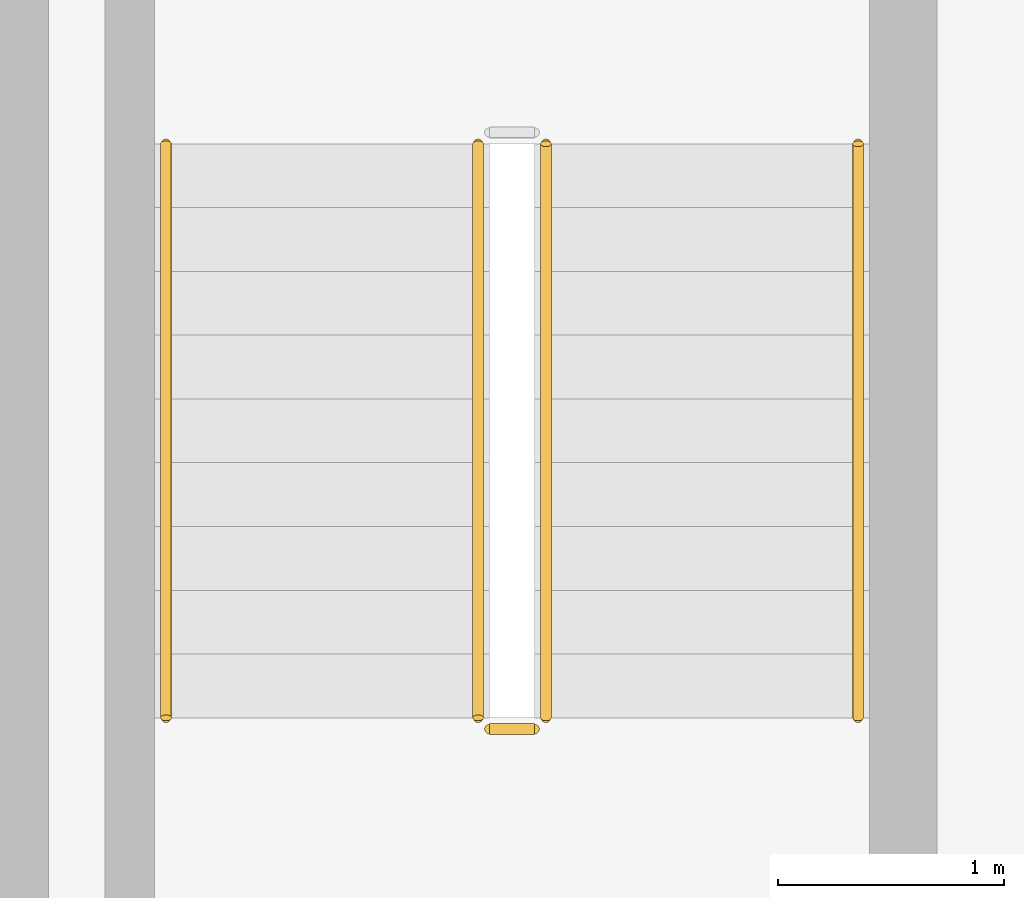
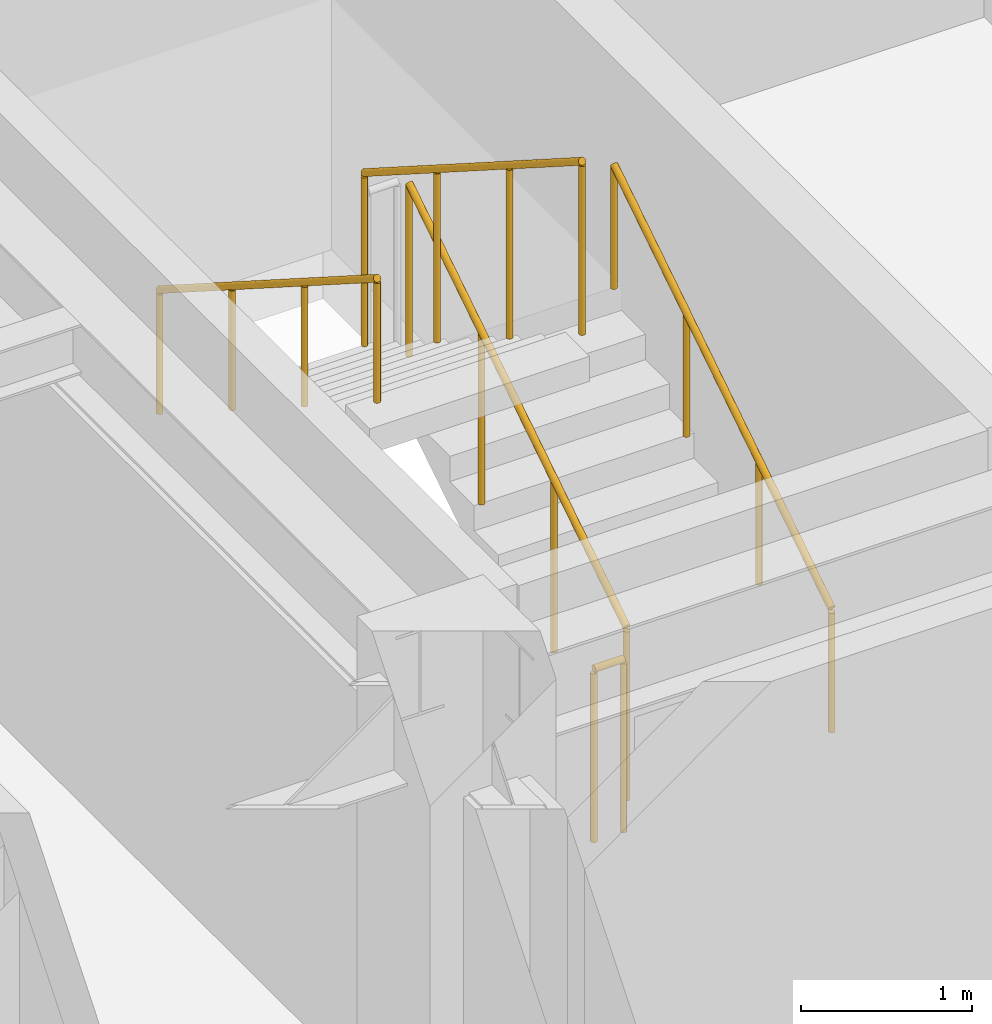
# One storey, part 17 of 19: 5 railings.
"""IFC4 building model written with IfcOpenShell, lengths in metres."""

from ifc_helpers import new_model, si_unit, direction, frame, origin, origin_2d, place, context, subcontext, project, spatial, circle, extrude, material, type_object, element, save


model = new_model("IFC4")

# Units and contexts
model_context = context("Model", 3, precision=1e-05, world=origin(), true_north=direction((0.0, 1.0)))
body_context = subcontext(model_context, "Body", "Model", "MODEL_VIEW")
ifc_project = project(units=[si_unit("LENGTHUNIT", "METRE"), si_unit("AREAUNIT", "SQUARE_METRE"), si_unit("VOLUMEUNIT", "CUBIC_METRE"), si_unit("PLANEANGLEUNIT", "RADIAN"), si_unit("MASSUNIT", "GRAM", prefix="KILO")], contexts=[model_context])

# Site, building, storey
site_placement = place(None, origin())
site = spatial("IfcSite", under=ifc_project, at=site_placement, CompositionType="ELEMENT")
building_placement = place(site_placement, origin())
building = spatial("IfcBuilding", under=site, at=building_placement, Name="Ochreholt Gables", CompositionType="ELEMENT")
storey_placement = place(building_placement, frame((0.0, 0.0, 76.800048828125)))
storey = spatial("IfcBuildingStorey", under=building, at=storey_placement, Name="L19", CompositionType="ELEMENT", Elevation=76.800048828125)

# Railings
ifc_material_1 = material(Name="Painted Steel Stair Guardrail", Category="steel")
railing_type_1 = type_object("IfcRailingType", Name="RL-ST-GUARD", PredefinedType="GUARDRAIL", material=ifc_material_1)
railing_1_placement = place(storey_placement, frame((26.64990234375, 32.4599609375, 0.179931640625)))
element("IfcRailing", 1, at=railing_1_placement, inside=storey, type_object=railing_type_1, Name="L19 ST-2 stair guard 1", PredefinedType="GUARDRAIL", context=body_context, shape_type="SweptSolid", body=[
    extrude(circle(Radius=0.02392578125, at=origin_2d()), frame((0.0, 0.0, 1.22607421875), z_axis=(0.0, 0.842912820907, 0.538050161556), x_axis=(-1.0, 0.0, 0.0)), (0.0, 0.0, 1.0), 3.010986328125),
    extrude(circle(Radius=0.02099609375, at=origin_2d()), origin(), (0.0, 0.0, 1.0), 1.201904296875),
    extrude(circle(Radius=0.02099609375, at=origin_2d()), frame((0.0, 0.845947265625, 0.5400390625)), (0.0, 0.0, 1.0), 1.201904296875),
    extrude(circle(Radius=0.02099609375, at=origin_2d()), frame((0.0, 1.692138671875, 1.080078125)), (0.0, 0.0, 1.0), 1.201904296875),
    extrude(circle(Radius=0.02099609375, at=origin_2d()), frame((0.0, 2.5380859375, 1.6201171875)), (0.0, 0.0, 1.0), 1.201904296875),
])
railing_2_placement = place(storey_placement, frame((26.35009765625, 34.998046875, 1.97998046875)))
element("IfcRailing", 2, at=railing_2_placement, inside=storey, type_object=railing_type_1, Name="L19 ST-2 stair guard 3", PredefinedType="GUARDRAIL", context=body_context, shape_type="SweptSolid", body=[
    extrude(circle(Radius=0.02392578125, at=origin_2d()), frame((0.0, 0.0, 1.22607421875), z_axis=(0.0, -0.842949592929, 0.537992549931), x_axis=(1.0, 0.0, 0.0)), (0.0, 0.0, 1.0), 3.010986328125),
    extrude(circle(Radius=0.02099609375, at=origin_2d()), origin(), (0.0, 0.0, 1.0), 1.201904296875),
    extrude(circle(Radius=0.02099609375, at=origin_2d()), frame((0.0, -0.845947265625, 0.5400390625)), (0.0, 0.0, 1.0), 1.201904296875),
    extrude(circle(Radius=0.02099609375, at=origin_2d()), frame((0.0, -1.692138671875, 1.079833984375)), (0.0, 0.0, 1.0), 1.201904296875),
    extrude(circle(Radius=0.02099609375, at=origin_2d()), frame((0.0, -2.5380859375, 1.619873046875)), (0.0, 0.0, 1.0), 1.201904296875),
])
railing_3_placement = place(storey_placement, frame((26.60009765625, 32.409912109375, 0.0)))
element("IfcRailing", 3, at=railing_3_placement, inside=storey, type_object=railing_type_1, Name="L19 ST-2 stair guard 4", PredefinedType="GUARDRAIL", context=body_context, shape_type="SweptSolid", body=[
    extrude(circle(Radius=0.02392578125, at=origin_2d()), frame((0.0, 0.0, 1.22607421875), z_axis=(-1.0, 0.0, 0.0), x_axis=(0.0, -1.0, 0.0)), (0.0, 0.0, 1.0), 0.2001953125),
    extrude(circle(Radius=0.02099609375, at=origin_2d()), origin(), (0.0, 0.0, 1.0), 1.201904296875),
    extrude(circle(Radius=0.02099609375, at=origin_2d()), frame((-0.2001953125, 0.0, 0.0)), (0.0, 0.0, 1.0), 1.201904296875),
])
ifc_material_2 = material(Name="Brushed Stainless Steel Wall Handrail", Category="steel")
railing_type_2 = type_object("IfcRailingType", Name="RL-ST-HAND", PredefinedType="HANDRAIL", material=ifc_material_2)
railing_4_placement = place(storey_placement, frame((28.030029296875, 32.4599609375, 0.179931640625)))
element("IfcRailing", 4, at=railing_4_placement, inside=storey, type_object=railing_type_2, Name="L19 ST-2 stair handrail 1", PredefinedType="HANDRAIL", context=body_context, shape_type="SweptSolid", body=[
    extrude(circle(Radius=0.02392578125, at=origin_2d()), frame((0.0, 0.0, 0.8759765625), z_axis=(0.0, 0.842912820907, 0.538050161556), x_axis=(-1.0, 0.0, 0.0)), (0.0, 0.0, 1.0), 3.010986328125),
    extrude(circle(Radius=0.02099609375, at=origin_2d()), origin(), (0.0, 0.0, 1.0), 0.851806640625),
    extrude(circle(Radius=0.02099609375, at=origin_2d()), frame((0.0, 0.845947265625, 0.5400390625)), (0.0, 0.0, 1.0), 0.851806640625),
    extrude(circle(Radius=0.02099609375, at=origin_2d()), frame((0.0, 1.692138671875, 1.080078125)), (0.0, 0.0, 1.0), 0.851806640625),
    extrude(circle(Radius=0.02099609375, at=origin_2d()), frame((0.0, 2.5380859375, 1.6201171875)), (0.0, 0.0, 1.0), 0.851806640625),
])
railing_5_placement = place(storey_placement, frame((24.969970703125, 34.998046875, 1.97998046875)))
element("IfcRailing", 5, at=railing_5_placement, inside=storey, type_object=railing_type_2, Name="L19 ST-2 stair handrail 2", PredefinedType="HANDRAIL", context=body_context, shape_type="SweptSolid", body=[
    extrude(circle(Radius=0.02392578125, at=origin_2d()), frame((0.0, 0.0, 0.8759765625), z_axis=(0.0, -0.842949592929, 0.537992549931), x_axis=(1.0, 0.0, 0.0)), (0.0, 0.0, 1.0), 3.010986328125),
    extrude(circle(Radius=0.02099609375, at=origin_2d()), origin(), (0.0, 0.0, 1.0), 0.851806640625),
    extrude(circle(Radius=0.02099609375, at=origin_2d()), frame((0.0, -0.845947265625, 0.5400390625)), (0.0, 0.0, 1.0), 0.851806640625),
    extrude(circle(Radius=0.02099609375, at=origin_2d()), frame((0.0, -1.692138671875, 1.079833984375)), (0.0, 0.0, 1.0), 0.851806640625),
    extrude(circle(Radius=0.02099609375, at=origin_2d()), frame((0.0, -2.5380859375, 1.619873046875)), (0.0, 0.0, 1.0), 0.851806640625),
])

save(model, "model.ifc")
